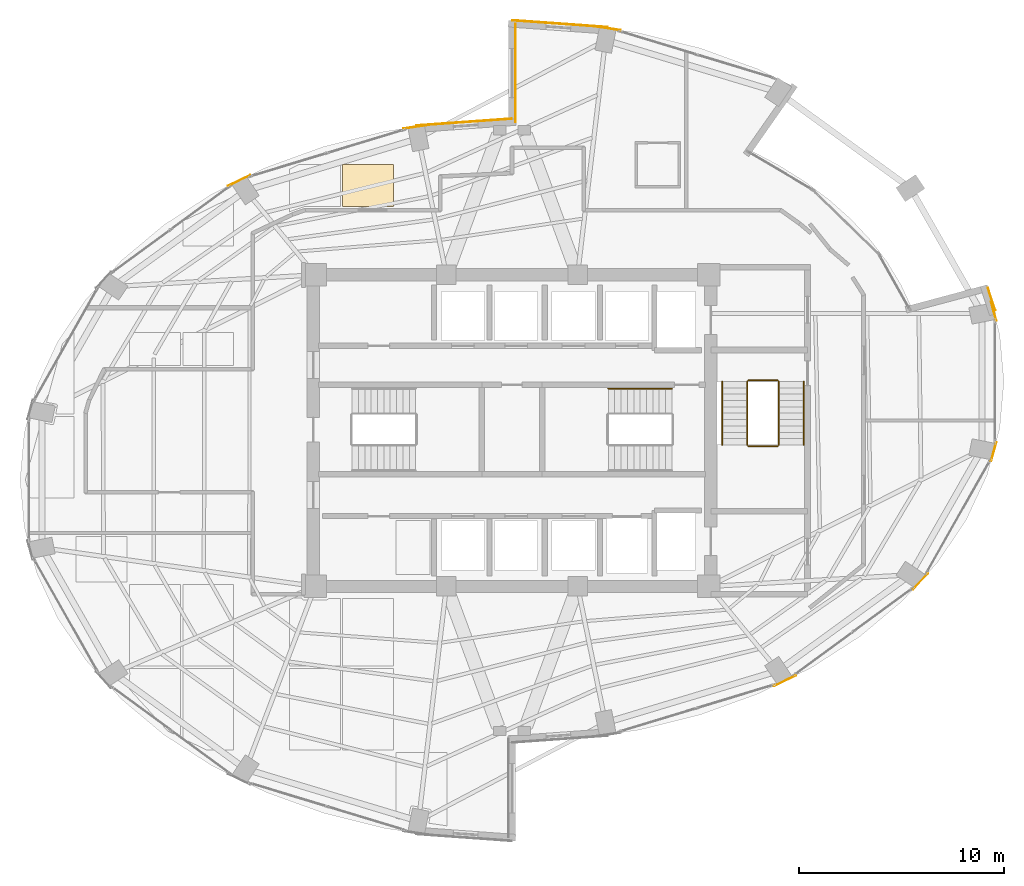
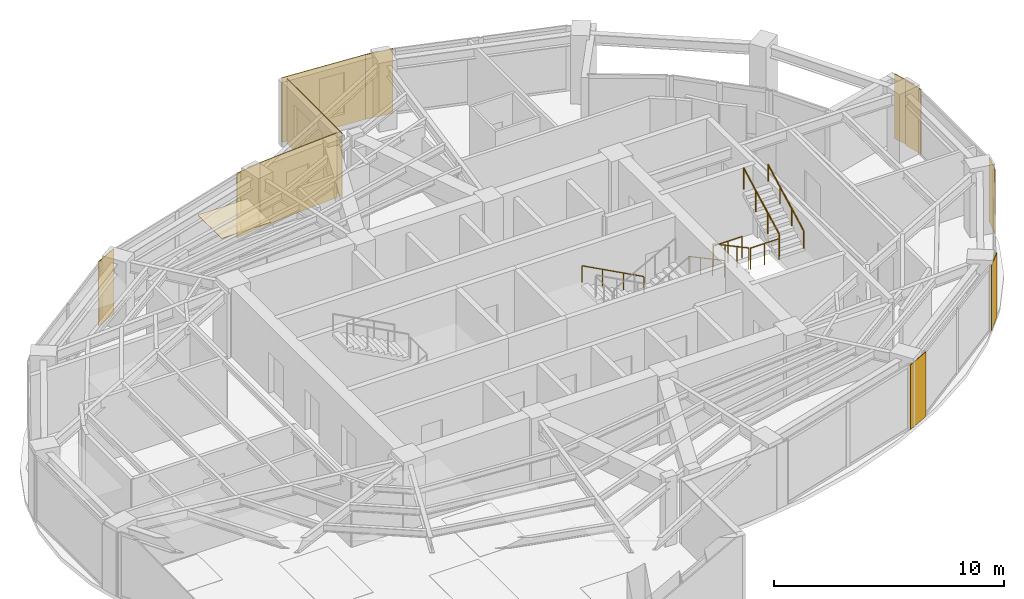
# One storey, part 19 of 19: 12 coverings, 7 railings.
"""IFC4 building model written with IfcOpenShell, lengths in metres."""

from ifc_helpers import new_model, si_unit, direction, frame, origin, origin_2d, place, context, subcontext, project, spatial, polyline, rectangle, circle, outline, extrude, material, layer, layer_set, type_object, element, save


model = new_model("IFC4")

# Units and contexts
model_context = context("Model", 3, precision=1e-05, world=origin(), true_north=direction((0.0, 1.0)))
body_context = subcontext(model_context, "Body", "Model", "MODEL_VIEW")
ifc_project = project(units=[si_unit("LENGTHUNIT", "METRE"), si_unit("AREAUNIT", "SQUARE_METRE"), si_unit("VOLUMEUNIT", "CUBIC_METRE"), si_unit("PLANEANGLEUNIT", "RADIAN"), si_unit("MASSUNIT", "GRAM", prefix="KILO")], contexts=[model_context])

# Site, building, storey
site_placement = place(None, origin())
site = spatial("IfcSite", under=ifc_project, at=site_placement, CompositionType="ELEMENT")
building_placement = place(site_placement, origin())
building = spatial("IfcBuilding", under=site, at=building_placement, Name="Lazwardi Medical Tower", CompositionType="ELEMENT")
storey_placement = place(building_placement, frame((0.0, 0.0, 167.471923828125)))
storey = spatial("IfcBuildingStorey", under=building, at=storey_placement, Name="L43", CompositionType="ELEMENT", Elevation=167.471923828125)

# Coverings
ifc_material_1 = material(Name="Anodised bronze aluminium cassette cladding", Category="aluminium")
ifc_layer_1 = layer(ifc_material_1, 0.030029296875)
ifc_layer_set_1 = layer_set([ifc_layer_1], Name="Anodised bronze aluminium cassette cladding")
covering_type_1 = type_object("IfcCoveringType", Name="COV-CLD-BRZ", PredefinedType="CLADDING", material=ifc_layer_set_1)
covering_1_placement = place(storey_placement, frame((49.31103515625, 15.798095703125, 0.0), z_axis=(0.0, 0.0, 1.0), x_axis=(0.898079014814, 0.439834154144, 0.0)))
element("IfcCovering", 1, at=covering_1_placement, inside=storey, type_object=covering_type_1, Name="L43 Mega-column bronze cassette cover M02", PredefinedType="CLADDING", context=body_context, shape_type="SweptSolid", body=[
    extrude(rectangle(XDim=1.200439453125, YDim=0.030029296875, at=origin_2d()), origin(), (0.0, 0.0, 1.0), 3.427978515625),
])
covering_2_placement = place(storey_placement, frame((55.92138671875, 20.643310546875, 0.0), z_axis=(0.0, 0.0, 1.0), x_axis=(0.673714459537, 0.738991763832, 0.0)))
element("IfcCovering", 2, at=covering_2_placement, inside=storey, type_object=covering_type_1, Name="L43 Mega-column bronze cassette cover M03", PredefinedType="CLADDING", context=body_context, shape_type="SweptSolid", body=[
    extrude(rectangle(XDim=1.0693359375, YDim=0.030029296875, at=origin_2d()), origin(), (0.0, 0.0, 1.0), 3.427978515625),
])
for number, where, z_axis, x_axis, name in (
    (3, (59.498779296875, 26.973876953125, 0.0), (0.0, 0.0, 1.0), (0.261828726257, 0.965114354938, 0.0), "L43 Mega-column bronze cassette cover M04"),
    (4, (59.498779296875, 33.826171875, 0.0), (0.0, 0.0, 1.0), (-0.261828726257, 0.965114354938, 0.0), "L43 Mega-column bronze cassette cover M05"),
):
    element("IfcCovering", number, at=place(storey_placement, frame(where, z_axis=z_axis, x_axis=x_axis)), inside=storey, type_object=covering_type_1, Name=name, PredefinedType="CLADDING", context=body_context, shape_type="SweptSolid", body=[
        extrude(rectangle(XDim=0.9658203125, YDim=0.030029296875, at=origin_2d()), origin(), (0.0, 0.0, 1.0), 3.427978515625),
    ])
for number, where, z_axis, x_axis, name in (
    (5, (40.67431640625, 47.6240234375, 0.0), (0.0, 0.0, 1.0), (-0.989539138138, 0.144264666823, 0.0), "L43 Mega-column bronze cassette cover M08"),
    (6, (31.32568359375, 42.82421875, 0.0), (0.0, 0.0, 1.0), (-0.989539138138, -0.144264666823, 0.0), "L43 Mega-column bronze cassette cover M09"),
):
    element("IfcCovering", number, at=place(storey_placement, frame(where, z_axis=z_axis, x_axis=x_axis)), inside=storey, type_object=covering_type_1, Name=name, PredefinedType="CLADDING", context=body_context, shape_type="SweptSolid", body=[
        extrude(rectangle(XDim=1.28515625, YDim=0.030029296875, at=origin_2d()), origin(), (0.0, 0.0, 1.0), 3.427978515625),
    ])
covering_3_placement = place(storey_placement, frame((22.68896484375, 40.201904296875, 0.0), z_axis=(0.0, 0.0, 1.0), x_axis=(-0.898079014814, -0.439834154144, 0.0)))
element("IfcCovering", 7, at=covering_3_placement, inside=storey, type_object=covering_type_1, Name="L43 Mega-column bronze cassette cover M10", PredefinedType="CLADDING", context=body_context, shape_type="SweptSolid", body=[
    extrude(rectangle(XDim=1.200439453125, YDim=0.030029296875, at=origin_2d()), origin(), (0.0, 0.0, 1.0), 3.427978515625),
])
ifc_material_2 = material(Name="Turquoise glazed ceramic tilework cladding", Category="masonry")
ifc_layer_2 = layer(ifc_material_2, 0.034912109375)
ifc_layer_set_2 = layer_set([ifc_layer_2], Name="Turquoise glazed ceramic tilework cladding")
covering_type_2 = type_object("IfcCoveringType", Name="COV-CLD-TRQ", PredefinedType="CLADDING", material=ifc_layer_set_2)
covering_4_placement = place(storey_placement, frame((38.338134765625, 47.847412109375, 0.0), z_axis=(0.0, 0.0, 1.0), x_axis=(-0.997414510753, 0.071863020663, 0.0)))
element("IfcCovering", 8, at=covering_4_placement, inside=storey, type_object=covering_type_2, Name="L43 Turquoise glazed ceramic tilework cladding", PredefinedType="CLADDING", context=body_context, shape_type="SweptSolid", body=[
    extrude(rectangle(XDim=4.6630859375, YDim=0.034912109375, at=origin_2d()), origin(), (0.0, 0.0, 1.0), 3.427978515625),
])
covering_5_placement = place(storey_placement, frame((33.66162109375, 43.047607421875, 0.0), z_axis=(0.0, 0.0, 1.0), x_axis=(-0.997414134466, -0.071868243112, 0.0)))
element("IfcCovering", 9, at=covering_5_placement, inside=storey, type_object=covering_type_2, Name="L43 Turquoise glazed ceramic tilework cladding", PredefinedType="CLADDING", context=body_context, shape_type="SweptSolid", body=[
    extrude(rectangle(XDim=4.66259765625, YDim=0.034912109375, at=origin_2d()), origin(), (0.0, 0.0, 1.0), 3.427978515625),
])
covering_6_placement = place(storey_placement, frame((36.175537109375, 45.43994140625, 0.0), z_axis=(0.0, 0.0, 1.0), x_axis=(0.0, -1.0, 0.0)))
element("IfcCovering", 10, at=covering_6_placement, inside=storey, type_object=covering_type_2, Name="L43 Turquoise glazed ceramic tilework iwan panel", PredefinedType="CLADDING", context=body_context, shape_type="SweptSolid", body=[
    extrude(rectangle(XDim=4.800048828125, YDim=0.034912109375, at=origin_2d()), origin(), (0.0, 0.0, 1.0), 3.427978515625),
])
covering_7_placement = place(storey_placement, frame((59.3916015625, 34.416015625, 0.0), z_axis=(0.0, 0.0, 1.0), x_axis=(-0.303560814538, 0.95281206535, 0.0)))
element("IfcCovering", 11, at=covering_7_placement, inside=storey, type_object=covering_type_2, Name="L43 Turquoise glazed ceramic tilework cladding", PredefinedType="CLADDING", context=body_context, shape_type="SweptSolid", body=[
    extrude(rectangle(XDim=1.167724609375, YDim=0.034912109375, at=origin_2d()), origin(), (0.0, 0.0, 1.0), 3.427978515625),
])
ifc_material_3 = material(Name="Acoustic mineral fibre tile")
ifc_layer_3 = layer(ifc_material_3, 0.02490234375)
ifc_layer_set_3 = layer_set([ifc_layer_3], Name="Acoustic mineral fibre tile")
covering_type_3 = type_object("IfcCoveringType", Name="COV-CLG-01", PredefinedType="CEILING", material=ifc_layer_set_3)
covering_8_placement = place(storey_placement, frame((0.0, 0.0, 3.282958984375)))
element("IfcCovering", 12, at=covering_8_placement, inside=storey, type_object=covering_type_3, Name="L43 Clinical Acoustic Ceiling 9", PredefinedType="CEILING", context=body_context, shape_type="SweptSolid", body=[
    extrude(outline(polyline([(27.742919921875, 38.925048828125), (30.222900390625, 38.925048828125), (30.222900390625, 40.992431640625), (27.742919921875, 40.992431640625), (27.742919921875, 38.925048828125)])), origin(), (0.0, 0.0, 1.0), 0.025146484375),
])

# Railings
ifc_material_4 = material(Name="Stainless steel Grade 316", Category="steel")
railing_type_1 = type_object("IfcRailingType", Name="RLG-GRD-1150", PredefinedType="GUARDRAIL", material=ifc_material_4)
railing_1_placement = place(storey_placement, frame((47.469970703125, 30.39990234375, 0.166015625)))
element("IfcRailing", 13, at=railing_1_placement, inside=storey, type_object=railing_type_1, Name="L43 ST3 stair guard 1", PredefinedType="GUARDRAIL", context=body_context, shape_type="SweptSolid", body=[
    extrude(circle(Radius=0.02392578125, at=origin_2d()), frame((0.0, 0.0, 1.1259765625), z_axis=(0.0, -0.881796732468, 0.4716296456), x_axis=(1.0, 0.0, 0.0)), (0.0, 0.0, 1.0), 3.515380859375),
    extrude(circle(Radius=0.02099609375, at=origin_2d()), origin(), (0.0, 0.0, 1.0), 1.099853515625),
    extrude(circle(Radius=0.02099609375, at=origin_2d()), frame((0.0, -1.033203125, 0.552734375)), (0.0, 0.0, 1.0), 1.099853515625),
    extrude(circle(Radius=0.02099609375, at=origin_2d()), frame((0.0, -2.066650390625, 1.105224609375)), (0.0, 0.0, 1.0), 1.099853515625),
    extrude(circle(Radius=0.02099609375, at=origin_2d()), frame((0.0, -3.099853515625, 1.657958984375)), (0.0, 0.0, 1.0), 1.099853515625),
])
railing_2_placement = place(storey_placement, frame((47.52001953125, 27.25, 1.823974609375)))
element("IfcRailing", 14, at=railing_2_placement, inside=storey, type_object=railing_type_1, Name="L43 ST3 stair guard 2", PredefinedType="GUARDRAIL", context=body_context, shape_type="SweptSolid", body=[
    extrude(circle(Radius=0.02392578125, at=origin_2d()), frame((0.0, 0.0, 1.1259765625), z_axis=(1.0, 0.0, 0.0), x_axis=(0.0, 1.0, 0.0)), (0.0, 0.0, 1.0), 1.43994140625),
    extrude(circle(Radius=0.02099609375, at=origin_2d()), origin(), (0.0, 0.0, 1.0), 1.099853515625),
    extrude(circle(Radius=0.02099609375, at=origin_2d()), frame((0.719970703125, 0.0, 0.0)), (0.0, 0.0, 1.0), 1.099853515625),
    extrude(circle(Radius=0.02099609375, at=origin_2d()), frame((1.43994140625, 0.0, 0.0)), (0.0, 0.0, 1.0), 1.099853515625),
])
railing_3_placement = place(storey_placement, frame((49.010009765625, 27.300048828125, 1.989990234375)))
element("IfcRailing", 15, at=railing_3_placement, inside=storey, type_object=railing_type_1, Name="L43 ST3 stair guard 3", PredefinedType="GUARDRAIL", context=body_context, shape_type="SweptSolid", body=[
    extrude(circle(Radius=0.02392578125, at=origin_2d()), frame((0.0, 0.0, 1.1259765625), z_axis=(0.0, 0.881767849116, 0.471683644262), x_axis=(-1.0, 0.0, 0.0)), (0.0, 0.0, 1.0), 3.515380859375),
    extrude(circle(Radius=0.02099609375, at=origin_2d()), origin(), (0.0, 0.0, 1.0), 1.099853515625),
    extrude(circle(Radius=0.02099609375, at=origin_2d()), frame((0.0, 1.033203125, 0.552734375)), (0.0, 0.0, 1.0), 1.099853515625),
    extrude(circle(Radius=0.02099609375, at=origin_2d()), frame((0.0, 2.066650390625, 1.10546875)), (0.0, 0.0, 1.0), 1.099853515625),
    extrude(circle(Radius=0.02099609375, at=origin_2d()), frame((0.0, 3.099853515625, 1.658203125)), (0.0, 0.0, 1.0), 1.099853515625),
])
railing_4_placement = place(storey_placement, frame((47.52001953125, 30.449951171875, 0.0)))
element("IfcRailing", 16, at=railing_4_placement, inside=storey, type_object=railing_type_1, Name="L43 ST3 stair guard 4", PredefinedType="GUARDRAIL", context=body_context, shape_type="SweptSolid", body=[
    extrude(circle(Radius=0.02392578125, at=origin_2d()), frame((0.0, 0.0, 1.1259765625), z_axis=(1.0, 0.0, 0.0), x_axis=(0.0, 1.0, 0.0)), (0.0, 0.0, 1.0), 1.43994140625),
    extrude(circle(Radius=0.02099609375, at=origin_2d()), origin(), (0.0, 0.0, 1.0), 1.099853515625),
    extrude(circle(Radius=0.02099609375, at=origin_2d()), frame((0.719970703125, 0.0, 0.0)), (0.0, 0.0, 1.0), 1.099853515625),
    extrude(circle(Radius=0.02099609375, at=origin_2d()), frame((1.43994140625, 0.0, 0.0)), (0.0, 0.0, 1.0), 1.099853515625),
])
railing_type_2 = type_object("IfcRailingType", Name="RLG-HND-920", PredefinedType="HANDRAIL", material=ifc_material_4)
railing_5_placement = place(storey_placement, frame((43.800048828125, 30.050048828125, 0.166015625)))
element("IfcRailing", 17, at=railing_5_placement, inside=storey, type_object=railing_type_2, Name="L43 ST2 stair handrail 1", PredefinedType="HANDRAIL", context=body_context, shape_type="SweptSolid", body=[
    extrude(circle(Radius=0.02392578125, at=origin_2d()), frame((0.0, 0.0, 0.8857421875), z_axis=(-0.881812178953, 0.0, 0.471600764472), x_axis=(0.0, -1.0, 0.0)), (0.0, 0.0, 1.0), 3.515625),
    extrude(circle(Radius=0.02099609375, at=origin_2d()), origin(), (0.0, 0.0, 1.0), 0.85986328125),
    extrude(circle(Radius=0.02099609375, at=origin_2d()), frame((-1.033447265625, 0.0, 0.552734375)), (0.0, 0.0, 1.0), 0.85986328125),
    extrude(circle(Radius=0.02099609375, at=origin_2d()), frame((-2.066650390625, 0.0, 1.105224609375)), (0.0, 0.0, 1.0), 0.85986328125),
    extrude(circle(Radius=0.02099609375, at=origin_2d()), frame((-3.10009765625, 0.0, 1.657958984375)), (0.0, 0.0, 1.0), 0.85986328125),
])
railing_6_placement = place(storey_placement, frame((46.25, 30.39990234375, 0.166015625)))
element("IfcRailing", 18, at=railing_6_placement, inside=storey, type_object=railing_type_2, Name="L43 ST3 stair handrail 1", PredefinedType="HANDRAIL", context=body_context, shape_type="SweptSolid", body=[
    extrude(circle(Radius=0.02392578125, at=origin_2d()), frame((0.0, 0.0, 0.8857421875), z_axis=(0.0, -0.881796732468, 0.4716296456), x_axis=(1.0, 0.0, 0.0)), (0.0, 0.0, 1.0), 3.515380859375),
    extrude(circle(Radius=0.02099609375, at=origin_2d()), origin(), (0.0, 0.0, 1.0), 0.85986328125),
    extrude(circle(Radius=0.02099609375, at=origin_2d()), frame((0.0, -1.033203125, 0.552734375)), (0.0, 0.0, 1.0), 0.85986328125),
    extrude(circle(Radius=0.02099609375, at=origin_2d()), frame((0.0, -2.066650390625, 1.105224609375)), (0.0, 0.0, 1.0), 0.85986328125),
    extrude(circle(Radius=0.02099609375, at=origin_2d()), frame((0.0, -3.099853515625, 1.657958984375)), (0.0, 0.0, 1.0), 0.85986328125),
])
railing_7_placement = place(storey_placement, frame((50.22998046875, 27.300048828125, 1.989990234375)))
element("IfcRailing", 19, at=railing_7_placement, inside=storey, type_object=railing_type_2, Name="L43 ST3 stair handrail 2", PredefinedType="HANDRAIL", context=body_context, shape_type="SweptSolid", body=[
    extrude(circle(Radius=0.02392578125, at=origin_2d()), frame((0.0, 0.0, 0.8857421875), z_axis=(0.0, 0.881767849116, 0.471683644262), x_axis=(-1.0, 0.0, 0.0)), (0.0, 0.0, 1.0), 3.515380859375),
    extrude(circle(Radius=0.02099609375, at=origin_2d()), origin(), (0.0, 0.0, 1.0), 0.85986328125),
    extrude(circle(Radius=0.02099609375, at=origin_2d()), frame((0.0, 1.033203125, 0.552734375)), (0.0, 0.0, 1.0), 0.85986328125),
    extrude(circle(Radius=0.02099609375, at=origin_2d()), frame((0.0, 2.066650390625, 1.10546875)), (0.0, 0.0, 1.0), 0.85986328125),
    extrude(circle(Radius=0.02099609375, at=origin_2d()), frame((0.0, 3.099853515625, 1.658203125)), (0.0, 0.0, 1.0), 0.85986328125),
])

save(model, "model.ifc")
